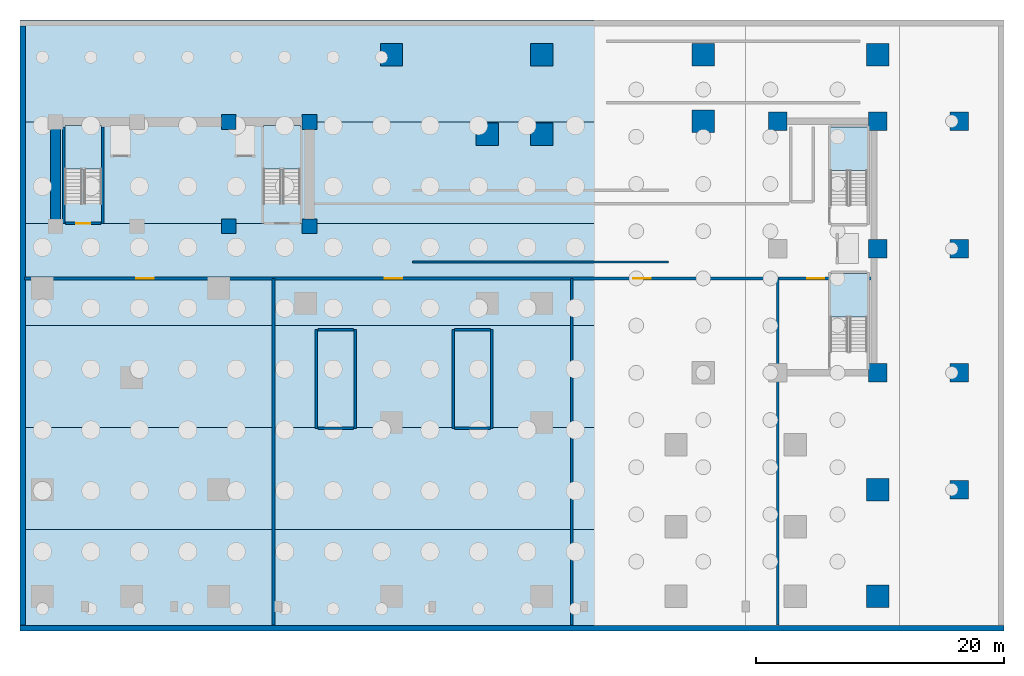
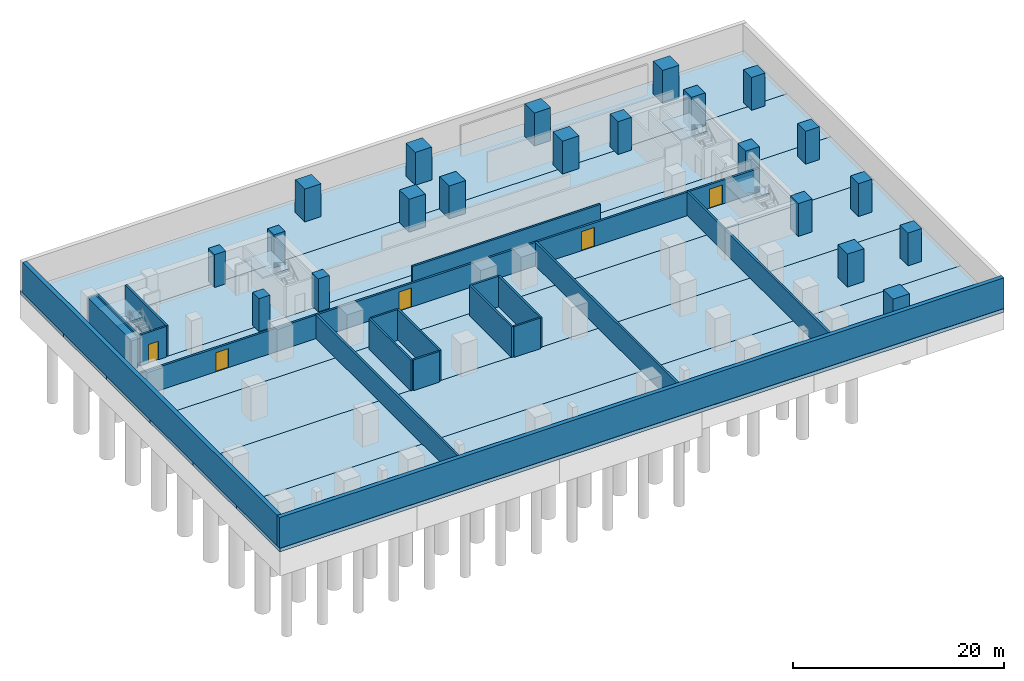
# One storey, part 2 of 7: 21 columns, 19 walls, 10 slabs, 5 doors, 5 openings, 4 elements without a shape of their own.
"""IFC4 building model written with IfcOpenShell, lengths in metres."""

from ifc_helpers import new_model, si_unit, direction, frame, frame_2d, origin, origin_2d, place, context, subcontext, project, spatial, polyline, rectangle, outline, extrude, material, layer, layer_set, material_profile, profile_set, type_object, element, fill, aggregate, save


model = new_model("IFC4")

# Units and contexts
model_context = context("Model", 3, precision=1e-05, world=origin(), true_north=direction((0.0, 1.0)))
body_context = subcontext(model_context, "Body", "Model", "MODEL_VIEW")
ifc_project = project(units=[si_unit("LENGTHUNIT", "METRE"), si_unit("AREAUNIT", "SQUARE_METRE"), si_unit("VOLUMEUNIT", "CUBIC_METRE"), si_unit("PLANEANGLEUNIT", "RADIAN"), si_unit("MASSUNIT", "GRAM", prefix="KILO")], contexts=[model_context])

# Site, building, storey
site_placement = place(None, origin())
site = spatial("IfcSite", under=ifc_project, at=site_placement, CompositionType="ELEMENT")
building_placement = place(site_placement, origin())
building = spatial("IfcBuilding", under=site, at=building_placement, Name="Kuzgunbayir Cultural Tower", CompositionType="ELEMENT")
storey_placement = place(building_placement, frame((0.0, 0.0, -11.39990234375)))
storey = spatial("IfcBuildingStorey", under=building, at=storey_placement, Name="B03", CompositionType="ELEMENT", Elevation=-11.39990234375)

# Columns
ifc_material_1 = material(Name="Concrete C60/75", Category="concrete")
ifc_material_profile_1 = material_profile(ifc_material_1, rectangle(XDim=1.199951171875, YDim=1.199951171875, at=origin_2d()), Name="RC 1200x1200")
ifc_profile_set_1 = profile_set([ifc_material_profile_1], Name="Concrete C60/75")
column_type_1 = type_object("IfcColumnType", Name="COL-CORE-1200", PredefinedType="COLUMN", material=ifc_profile_set_1)
for number, where, z_axis, x_axis, name in (
    (1, (20.39990234375, 33.800048828125, 0.0), (0.0, 0.0, 1.0), (1.0, 0.0, 0.0), "B03 T1 Core Boundary Column CC1-3"),
    (2, (26.89990234375, 33.800048828125, 0.0), (0.0, 0.0, 1.0), (1.0, 0.0, 0.0), "B03 T1 Core Boundary Column CC1-4"),
    (3, (20.39990234375, 42.199951171875, 0.0), (0.0, 0.0, 1.0), (1.0, 0.0, 0.0), "B03 T1 Core Boundary Column CC1-7"),
    (4, (26.89990234375, 42.199951171875, 0.0), (0.0, 0.0, 1.0), (1.0, 0.0, 0.0), "B03 T1 Core Boundary Column CC1-8"),
):
    element("IfcColumn", number, at=place(storey_placement, frame(where, z_axis=z_axis, x_axis=x_axis)), inside=storey, type_object=column_type_1, Name=name, PredefinedType="COLUMN", context=body_context, shape_type="SweptSolid", body=[
        extrude(rectangle(XDim=1.199951171875, YDim=1.199951171875, at=origin_2d()), origin(), (0.0, 0.0, 1.0), 3.7998046875),
    ])
ifc_material_profile_2 = material_profile(ifc_material_1, rectangle(XDim=1.5, YDim=1.5, at=origin_2d()), Name="RC 1500x1500")
ifc_profile_set_2 = profile_set([ifc_material_profile_2], Name="Concrete C60/75")
column_type_2 = type_object("IfcColumnType", Name="COL-MEGA-1500", PredefinedType="COLUMN", material=ifc_profile_set_2)
for number, where, z_axis, x_axis, name in (
    (5, (72.64990234375, 22.0, 0.0), (0.0, 0.0, 1.0), (1.0, 0.0, 0.0), "B03 T2 Core Boundary Column CC2-2"),
    (6, (72.64990234375, 32.0, 0.0), (0.0, 0.0, 1.0), (1.0, 0.0, 0.0), "B03 T2 Core Boundary Column CC2-4"),
    (7, (64.60009765625, 42.25, 0.0), (0.0, 0.0, 1.0), (1.0, 0.0, 0.0), "B03 T2 Core Boundary Column CC2-5"),
    (8, (72.64990234375, 42.25, 0.0), (0.0, 0.0, 1.0), (1.0, 0.0, 0.0), "B03 T2 Core Boundary Column CC2-6"),
    (9, (79.199951171875, 12.60009765625, 0.0), (0.0, 0.0, 1.0), (1.0, 0.0, 0.0), "B03 East Substructure Column 1"),
    (10, (79.199951171875, 22.0, 0.0), (0.0, 0.0, 1.0), (1.0, 0.0, 0.0), "B03 East Substructure Column 2"),
    (11, (79.199951171875, 32.0, 0.0), (0.0, 0.0, 1.0), (1.0, 0.0, 0.0), "B03 East Substructure Column 3"),
    (12, (79.199951171875, 42.25, 0.0), (0.0, 0.0, 1.0), (1.0, 0.0, 0.0), "B03 East Substructure Column 4"),
):
    element("IfcColumn", number, at=place(storey_placement, frame(where, z_axis=z_axis, x_axis=x_axis)), inside=storey, type_object=column_type_2, Name=name, PredefinedType="COLUMN", context=body_context, shape_type="SweptSolid", body=[
        extrude(rectangle(XDim=1.5, YDim=1.5, at=origin_2d()), origin(), (0.0, 0.0, 1.0), 3.7998046875),
    ])
ifc_material_profile_3 = material_profile(ifc_material_1, rectangle(XDim=1.800048828125, YDim=1.800048828125, at=origin_2d()), Name="RC 1800x1800")
ifc_profile_set_3 = profile_set([ifc_material_profile_3], Name="Concrete C60/75")
column_type_3 = type_object("IfcColumnType", Name="COL-MEGA-1800", PredefinedType="COLUMN", material=ifc_profile_set_3)
for number, where, z_axis, x_axis, name in (
    (13, (41.199951171875, 41.199951171875, 0.0), (0.0, 0.0, 1.0), (1.0, 0.0, 0.0), "B03 Podium Mega-Column PC-T1B-4N"),
    (14, (45.60009765625, 41.199951171875, 0.0), (0.0, 0.0, 1.0), (1.0, 0.0, 0.0), "B03 Podium Mega-Column PC-T1B-5N"),
    (15, (58.60009765625, 42.25, 0.0), (0.0, 0.0, 1.0), (1.0, 0.0, 0.0), "B03 Podium Mega-Column PC-T2A-NW"),
    (16, (72.64990234375, 4.0, 0.0), (0.0, 0.0, 1.0), (1.0, 0.0, 0.0), "B03 Podium Mega-Column PC-P08"),
    (17, (72.64990234375, 12.60009765625, 0.0), (0.0, 0.0, 1.0), (1.0, 0.0, 0.0), "B03 Podium Mega-Column PC-P12"),
    (18, (33.5, 47.60009765625, 0.0), (0.0, 0.0, 1.0), (1.0, 0.0, 0.0), "B03 Podium Mega-Column PC-P13"),
    (19, (45.60009765625, 47.60009765625, 0.0), (0.0, 0.0, 1.0), (1.0, 0.0, 0.0), "B03 Podium Mega-Column PC-P14"),
    (20, (58.60009765625, 47.60009765625, 0.0), (0.0, 0.0, 1.0), (1.0, 0.0, 0.0), "B03 Podium Mega-Column PC-P15"),
    (21, (72.64990234375, 47.60009765625, 0.0), (0.0, 0.0, 1.0), (1.0, 0.0, 0.0), "B03 Podium Mega-Column PC-P16"),
):
    element("IfcColumn", number, at=place(storey_placement, frame(where, z_axis=z_axis, x_axis=x_axis)), inside=storey, type_object=column_type_3, Name=name, PredefinedType="COLUMN", context=body_context, shape_type="SweptSolid", body=[
        extrude(rectangle(XDim=1.800048828125, YDim=1.800048828125, at=origin_2d()), origin(), (0.0, 0.0, 1.0), 3.7998046875),
    ])

# Slabs
ifc_material_2 = material(Name="Concrete C40/50", Category="concrete")
ifc_layer_1 = layer(ifc_material_2, 0.39990234375)
ifc_layer_set_1 = layer_set([ifc_layer_1], Name="Concrete C40/50")
slab_type_1 = type_object("IfcSlabType", Name="SLB-BASE-400", PredefinedType="BASESLAB", material=ifc_layer_set_1)
slab_1_placement = place(storey_placement, frame((0.0, 0.0, -0.400146484375)))
element("IfcSlab", 22, at=slab_1_placement, inside=storey, type_object=slab_type_1, Name="B03 Structural Base Slab Zone 1", PredefinedType="BASESLAB", context=body_context, shape_type="SweptSolid", body=[
    extrude(outline(polyline([(3.60009765625, 1.199951171875), (82.800048828125, 1.199951171875), (82.800048828125, 9.39990234375), (3.60009765625, 9.39990234375), (3.60009765625, 1.199951171875)])), origin(), (0.0, 0.0, 1.0), 0.400146484375),
])
slab_2_placement = place(storey_placement, frame((0.0, 0.0, -0.400146484375)))
element("IfcSlab", 23, at=slab_2_placement, inside=storey, type_object=slab_type_1, Name="B03 Structural Base Slab Zone 2", PredefinedType="BASESLAB", context=body_context, shape_type="SweptSolid", body=[
    extrude(outline(polyline([(3.60009765625, 9.39990234375), (82.800048828125, 9.39990234375), (82.800048828125, 17.60009765625), (3.60009765625, 17.60009765625), (3.60009765625, 9.39990234375)])), origin(), (0.0, 0.0, 1.0), 0.400146484375),
])
slab_3_placement = place(storey_placement, frame((0.0, 0.0, -0.400146484375)))
element("IfcSlab", 24, at=slab_3_placement, inside=storey, type_object=slab_type_1, Name="B03 Structural Base Slab Zone 3", PredefinedType="BASESLAB", context=body_context, shape_type="SweptSolid", body=[
    extrude(outline(polyline([(3.60009765625, 17.60009765625), (82.800048828125, 17.60009765625), (82.800048828125, 25.800048828125), (3.60009765625, 25.800048828125), (3.60009765625, 17.60009765625)])), origin(), (0.0, 0.0, 1.0), 0.400146484375),
])
slab_4_placement = place(storey_placement, frame((0.0, 0.0, -0.400146484375)))
element("IfcSlab", 25, at=slab_4_placement, inside=storey, type_object=slab_type_1, Name="B03 Structural Base Slab Zone 4", PredefinedType="BASESLAB", context=body_context, shape_type="SweptSolid", body=[
    extrude(outline(polyline([(3.60009765625, 25.800048828125), (82.800048828125, 25.800048828125), (82.800048828125, 34.0), (3.60009765625, 34.0), (3.60009765625, 25.800048828125)])), origin(), (0.0, 0.0, 1.0), 0.400146484375),
])
slab_5_placement = place(storey_placement, frame((0.0, 0.0, -0.400146484375)))
element("IfcSlab", 26, at=slab_5_placement, inside=storey, type_object=slab_type_1, Name="B03 Structural Base Slab Zone 5", PredefinedType="BASESLAB", context=body_context, shape_type="SweptSolid", body=[
    extrude(outline(polyline([(3.60009765625, 34.0), (82.800048828125, 34.0), (82.800048828125, 42.199951171875), (3.60009765625, 42.199951171875), (3.60009765625, 34.0)])), origin(), (0.0, 0.0, 1.0), 0.400146484375),
])
slab_6_placement = place(storey_placement, frame((0.0, 0.0, -0.400146484375)))
element("IfcSlab", 27, at=slab_6_placement, inside=storey, type_object=slab_type_1, Name="B03 Structural Base Slab Zone 6", PredefinedType="BASESLAB", context=body_context, shape_type="SweptSolid", body=[
    extrude(outline(polyline([(3.60009765625, 42.199951171875), (82.800048828125, 42.199951171875), (82.800048828125, 50.39990234375), (3.60009765625, 50.39990234375), (3.60009765625, 42.199951171875)])), origin(), (0.0, 0.0, 1.0), 0.400146484375),
])

# Stair, slab
stair_type = type_object("IfcStairType", Name="STR-EXIT-CORE", PredefinedType="HALF_TURN_STAIR", material=ifc_material_2)
stair_1_placement = place(storey_placement, origin())
stair_1 = element("IfcStair", 28, at=stair_1_placement, inside=storey, type_object=stair_type, Name="B03 ST-1", PredefinedType="HALF_TURN_STAIR")
ifc_layer_2 = layer(ifc_material_2, 0.179931640625)
ifc_layer_set_2 = layer_set([ifc_layer_2], Name="Concrete C40/50")
slab_type_2 = type_object("IfcSlabType", Name="SLB-LANDING-180", PredefinedType="LANDING", material=ifc_layer_set_2)
slab_7_placement = place(storey_placement, frame((0.0, 0.0, 1.699951171875)))
slab_7 = element("IfcSlab", 29, at=slab_7_placement, type_object=slab_type_2, Name="ST-1 landing 1", PredefinedType="LANDING", context=body_context, shape_type="SweptSolid", body=[
    extrude(outline(polyline([(10.159912109375, 38.39990234375), (10.159912109375, 41.89990234375), (7.199951171875, 41.89990234375), (7.199951171875, 38.39990234375), (10.159912109375, 38.39990234375)])), origin(), (0.0, 0.0, 1.0), 0.199951171875),
])
aggregate(stair_1, [slab_7])

stair_2_placement = place(storey_placement, origin())
stair_2 = element("IfcStair", 30, at=stair_2_placement, inside=storey, type_object=stair_type, Name="B03 ST-2", PredefinedType="HALF_TURN_STAIR")
slab_8_placement = place(storey_placement, frame((0.0, 0.0, 1.699951171875)))
slab_8 = element("IfcSlab", 31, at=slab_8_placement, type_object=slab_type_2, Name="ST-2 landing 1", PredefinedType="LANDING", context=body_context, shape_type="SweptSolid", body=[
    extrude(outline(polyline([(26.159912109375, 38.39990234375), (26.159912109375, 41.89990234375), (23.199951171875, 41.89990234375), (23.199951171875, 38.39990234375), (26.159912109375, 38.39990234375)])), origin(), (0.0, 0.0, 1.0), 0.199951171875),
])
aggregate(stair_2, [slab_8])

stair_3_placement = place(storey_placement, origin())
stair_3 = element("IfcStair", 32, at=stair_3_placement, inside=storey, type_object=stair_type, Name="B03 ST-3", PredefinedType="HALF_TURN_STAIR")
slab_9_placement = place(storey_placement, frame((0.0, 0.0, 1.699951171875)))
slab_9 = element("IfcSlab", 33, at=slab_9_placement, type_object=slab_type_2, Name="ST-3 landing 1", PredefinedType="LANDING", context=body_context, shape_type="SweptSolid", body=[
    extrude(outline(polyline([(71.800048828125, 26.5), (71.800048828125, 30.0), (68.840087890625, 30.0), (68.840087890625, 26.5), (71.800048828125, 26.5)])), origin(), (0.0, 0.0, 1.0), 0.199951171875),
])
aggregate(stair_3, [slab_9])

stair_4_placement = place(storey_placement, origin())
stair_4 = element("IfcStair", 34, at=stair_4_placement, inside=storey, type_object=stair_type, Name="B03 ST-4", PredefinedType="HALF_TURN_STAIR")
slab_10_placement = place(storey_placement, frame((0.0, 0.0, 1.699951171875)))
slab_10 = element("IfcSlab", 35, at=slab_10_placement, type_object=slab_type_2, Name="ST-4 landing 1", PredefinedType="LANDING", context=body_context, shape_type="SweptSolid", body=[
    extrude(outline(polyline([(71.800048828125, 38.300048828125), (71.800048828125, 41.800048828125), (68.840087890625, 41.800048828125), (68.840087890625, 38.300048828125), (71.800048828125, 38.300048828125)])), origin(), (0.0, 0.0, 1.0), 0.199951171875),
])
aggregate(stair_4, [slab_10])

# Walls
ifc_layer_3 = layer(ifc_material_1, 0.800048828125)
ifc_layer_set_3 = layer_set([ifc_layer_3], Name="Concrete C60/75")
wall_type_1 = type_object("IfcWallType", Name="WAL-CORE-800", PredefinedType="SHEAR", material=ifc_layer_set_3)
wall_1_placement = place(storey_placement, frame((6.449951171875, 33.800048828125, 0.0), z_axis=(0.0, 0.0, 1.0), x_axis=(0.0, 1.0, 0.0)))
element("IfcWall", 36, at=wall_1_placement, inside=storey, type_object=wall_type_1, Name="B03 T1 Core West Shear Wall", PredefinedType="SHEAR", context=body_context, shape_type="SweptSolid", body=[
    extrude(rectangle(XDim=7.949951171875, YDim=0.800048828125, at=frame_2d((3.97509765625, 0.0))), origin(), (0.0, 0.0, 1.0), 3.5498046875),
])
ifc_layer_4 = layer(ifc_material_2, 0.449951171875)
ifc_layer_set_4 = layer_set([ifc_layer_4], Name="Concrete C40/50")
wall_type_2 = type_object("IfcWallType", Name="WAL-EXT-BSM-450", PredefinedType="SOLIDWALL", material=ifc_layer_set_4)
wall_2_placement = place(storey_placement, frame((3.60009765625, 1.449951171875, 0.0), z_axis=(0.0, 0.0, 1.0), x_axis=(1.0, 0.0, 0.0)))
element("IfcWall", 37, at=wall_2_placement, inside=storey, type_object=wall_type_2, Name="B03 South Retaining Wall", PredefinedType="SOLIDWALL", context=body_context, shape_type="SweptSolid", body=[
    extrude(rectangle(XDim=79.199951171875, YDim=0.449951171875, at=frame_2d((39.60009765625, 0.0))), origin(), (0.0, 0.0, 1.0), 3.5498046875),
])
wall_3_placement = place(storey_placement, frame((3.820068359375, 49.89990234375, 0.0), z_axis=(0.0, 0.0, 1.0), x_axis=(0.0, -1.0, 0.0)))
element("IfcWall", 38, at=wall_3_placement, inside=storey, type_object=wall_type_2, Name="B03 West Retaining Wall", PredefinedType="SOLIDWALL", context=body_context, shape_type="SweptSolid", body=[
    extrude(rectangle(XDim=48.199951171875, YDim=0.449951171875, at=frame_2d((24.10009765625, 0.0))), origin(), (0.0, 0.0, 1.0), 3.5498046875),
])

# Wall, openings, doors
ifc_layer_5 = layer(ifc_material_2, 0.219970703125)
ifc_layer_set_5 = layer_set([ifc_layer_5], Name="Concrete C40/50")
wall_type_3 = type_object("IfcWallType", Name="WAL-PART-PLANT-200", PredefinedType="PARTITIONING", material=ifc_layer_set_5)
wall_4_placement = place(storey_placement, frame((3.949951171875, 29.60009765625, 0.0), z_axis=(0.0, 0.0, 1.0), x_axis=(1.0, 0.0, 0.0)))
wall_4 = element("IfcWall", 39, at=wall_4_placement, inside=storey, type_object=wall_type_3, Name="B03 Substructure Plant Corridor Wall South", PredefinedType="PARTITIONING", context=body_context, shape_type="SweptSolid", body=[
    extrude(rectangle(XDim=68.449951171875, YDim=0.219970703125, at=frame_2d((34.22509765625, 0.0))), origin(), (0.0, 0.0, 1.0), 2.719970703125),
])
opening_1_placement = place(wall_4_placement, frame((9.0, 0.0, 0.0)))
opening_1 = element("IfcOpeningElement", 40, at=opening_1_placement, cuts=wall_4, Name="Opening DR-PLANT-90", PredefinedType="OPENING", context=body_context, shape_type="SweptSolid", body=[
    extrude(rectangle(XDim=1.39990234375, YDim=2.199951171875, at=frame_2d((0.699951171875, 1.10009765625))), frame((0.0, 0.1201171875, 0.0), z_axis=(0.0, -1.0, 0.0), x_axis=(1.0, 0.0, 0.0)), (0.0, 0.0, 1.0), 0.239990234375),
])
opening_2_placement = place(wall_4_placement, frame((29.0, 0.0, 0.0)))
opening_2 = element("IfcOpeningElement", 41, at=opening_2_placement, cuts=wall_4, Name="Opening DR-PLANT-90", PredefinedType="OPENING", context=body_context, shape_type="SweptSolid", body=[
    extrude(rectangle(XDim=1.39990234375, YDim=2.199951171875, at=frame_2d((0.699951171875, 1.10009765625))), frame((0.0, 0.1201171875, 0.0), z_axis=(0.0, -1.0, 0.0), x_axis=(1.0, 0.0, 0.0)), (0.0, 0.0, 1.0), 0.239990234375),
])
opening_3_placement = place(wall_4_placement, frame((49.0, 0.0, 0.0)))
opening_3 = element("IfcOpeningElement", 42, at=opening_3_placement, cuts=wall_4, Name="Opening DR-PLANT-90", PredefinedType="OPENING", context=body_context, shape_type="SweptSolid", body=[
    extrude(rectangle(XDim=1.39990234375, YDim=2.199951171875, at=frame_2d((0.699951171875, 1.10009765625))), frame((0.0, 0.1201171875, 0.0), z_axis=(0.0, -1.0, 0.0), x_axis=(1.0, 0.0, 0.0)), (0.0, 0.0, 1.0), 0.239990234375),
])
opening_4_placement = place(wall_4_placement, frame((63.0, 0.0, 0.0)))
opening_4 = element("IfcOpeningElement", 43, at=opening_4_placement, cuts=wall_4, Name="Opening DR-PLANT-90", PredefinedType="OPENING", context=body_context, shape_type="SweptSolid", body=[
    extrude(rectangle(XDim=1.39990234375, YDim=2.199951171875, at=frame_2d((0.699951171875, 1.10009765625))), frame((0.0, 0.1201171875, 0.0), z_axis=(0.0, -1.0, 0.0), x_axis=(1.0, 0.0, 0.0)), (0.0, 0.0, 1.0), 0.239990234375),
])
ifc_material_3 = material(Name="Acoustic Steel Double Leaf", Category="steel")
door_type_1 = type_object("IfcDoorType", Name="DR-PLANT-90", OperationType="DOUBLE_DOOR_SINGLE_SWING", PredefinedType="DOOR", material=ifc_material_3)
door_1_placement = place(opening_1_placement, origin())
door_1 = element("IfcDoor", 44, at=door_1_placement, inside=storey, type_object=door_type_1, Name="B03 Chiller Plant Double Door", OperationType="DOUBLE_DOOR_SINGLE_SWING", OverallHeight=2.199951171875, OverallWidth=1.39990234375, PredefinedType="DOOR", context=body_context, shape_type="SweptSolid", body=[
    extrude(rectangle(XDim=1.39990234375, YDim=2.199951171875, at=frame_2d((0.699951171875, 1.10009765625))), frame((0.0, 0.02490234375, 0.0), z_axis=(0.0, -1.0, 0.0), x_axis=(1.0, 0.0, 0.0)), (0.0, 0.0, 1.0), 0.050048828125),
])
fill(opening_1, door_1)
door_2_placement = place(opening_2_placement, origin())
door_2 = element("IfcDoor", 45, at=door_2_placement, inside=storey, type_object=door_type_1, Name="B03 Sprinkler Tank Room Door", OperationType="DOUBLE_DOOR_SINGLE_SWING", OverallHeight=2.199951171875, OverallWidth=1.39990234375, PredefinedType="DOOR", context=body_context, shape_type="SweptSolid", body=[
    extrude(rectangle(XDim=1.39990234375, YDim=2.199951171875, at=frame_2d((0.699951171875, 1.10009765625))), frame((0.0, 0.02490234375, 0.0), z_axis=(0.0, -1.0, 0.0), x_axis=(1.0, 0.0, 0.0)), (0.0, 0.0, 1.0), 0.050048828125),
])
fill(opening_2, door_2)
door_3_placement = place(opening_3_placement, origin())
door_3 = element("IfcDoor", 46, at=door_3_placement, inside=storey, type_object=door_type_1, Name="B03 Pump Room Access Door", OperationType="DOUBLE_DOOR_SINGLE_SWING", OverallHeight=2.199951171875, OverallWidth=1.39990234375, PredefinedType="DOOR", context=body_context, shape_type="SweptSolid", body=[
    extrude(rectangle(XDim=1.39990234375, YDim=2.199951171875, at=frame_2d((0.699951171875, 1.10009765625))), frame((0.0, 0.02490234375, 0.0), z_axis=(0.0, -1.0, 0.0), x_axis=(1.0, 0.0, 0.0)), (0.0, 0.0, 1.0), 0.050048828125),
])
fill(opening_3, door_3)
door_4_placement = place(opening_4_placement, origin())
door_4 = element("IfcDoor", 47, at=door_4_placement, inside=storey, type_object=door_type_1, Name="B03 Transformer Room Access Door", OperationType="DOUBLE_DOOR_SINGLE_SWING", OverallHeight=2.199951171875, OverallWidth=1.39990234375, PredefinedType="DOOR", context=body_context, shape_type="SweptSolid", body=[
    extrude(rectangle(XDim=1.39990234375, YDim=2.199951171875, at=frame_2d((0.699951171875, 1.10009765625))), frame((0.0, 0.02490234375, 0.0), z_axis=(0.0, -1.0, 0.0), x_axis=(1.0, 0.0, 0.0)), (0.0, 0.0, 1.0), 0.050048828125),
])
fill(opening_4, door_4)

# Walls
for number, where, z_axis, x_axis, name in (
    (48, (24.0, 1.699951171875, 0.0), (0.0, 0.0, 1.0), (0.0, 1.0, 0.0), "B03 Chiller Hall Partition"),
    (49, (48.0, 1.699951171875, 0.0), (0.0, 0.0, 1.0), (0.0, 1.0, 0.0), "B03 Sprinkler Tank Partition"),
    (50, (64.60009765625, 1.699951171875, 0.0), (0.0, 0.0, 1.0), (0.0, 1.0, 0.0), "B03 Substation Partition"),
):
    element("IfcWall", number, at=place(storey_placement, frame(where, z_axis=z_axis, x_axis=x_axis)), inside=storey, type_object=wall_type_3, Name=name, PredefinedType="PARTITIONING", context=body_context, shape_type="SweptSolid", body=[
        extrude(rectangle(XDim=27.900146484375, YDim=0.219970703125, at=frame_2d((13.9501953125, 0.0))), origin(), (0.0, 0.0, 1.0), 2.719970703125),
    ])
ifc_layer_6 = layer(ifc_material_2, 0.199951171875)
ifc_layer_set_6 = layer_set([ifc_layer_6], Name="Concrete C40/50")
wall_type_4 = type_object("IfcWallType", Name="WAL-STAIR-RC-200", PredefinedType="SHEAR", material=ifc_layer_set_6)
for number, where, z_axis, x_axis, name in (
    (51, (7.1201171875, 34.02001953125, 0.0), (0.0, 0.0, 1.0), (0.0, 1.0, 0.0), "B03 Stair ST-1 West Structural Wall"),
    (52, (10.239990234375, 34.02001953125, 0.0), (0.0, 0.0, 1.0), (0.0, 1.0, 0.0), "B03 Stair ST-1 East Structural Wall"),
):
    element("IfcWall", number, at=place(storey_placement, frame(where, z_axis=z_axis, x_axis=x_axis)), inside=storey, type_object=wall_type_4, Name=name, PredefinedType="SHEAR", context=body_context, shape_type="SweptSolid", body=[
        extrude(rectangle(XDim=7.780029296875, YDim=0.199951171875, at=frame_2d((3.89013671875, 0.0))), origin(), (0.0, 0.0, 1.0), 3.5498046875),
    ])

# Wall, opening, door
wall_5_placement = place(storey_placement, frame((7.239990234375, 34.02001953125, 0.0), z_axis=(0.0, 0.0, 1.0), x_axis=(1.0, 0.0, 0.0)))
wall_5 = element("IfcWall", 53, at=wall_5_placement, inside=storey, type_object=wall_type_4, Name="B03 Stair ST-1 South Structural Wall", PredefinedType="SHEAR", context=body_context, shape_type="SweptSolid", body=[
    extrude(rectangle(XDim=2.880126953125, YDim=0.199951171875, at=frame_2d((1.43994140625, 0.0))), origin(), (0.0, 0.0, 1.0), 3.5498046875),
])
opening_5_placement = place(wall_5_placement, frame((0.89990234375, 0.0, 0.0)))
opening_5 = element("IfcOpeningElement", 54, at=opening_5_placement, cuts=wall_5, Name="Opening DR-STAIR-90", PredefinedType="OPENING", context=body_context, shape_type="SweptSolid", body=[
    extrude(rectangle(XDim=1.10009765625, YDim=2.14990234375, at=frame_2d((0.550048828125, 1.074951171875))), frame((0.0, 0.10986328125, 0.0), z_axis=(0.0, -1.0, 0.0), x_axis=(1.0, 0.0, 0.0)), (0.0, 0.0, 1.0), 0.219970703125),
])
ifc_material_4 = material(Name="Steel S355J2", Category="steel")
door_type_2 = type_object("IfcDoorType", Name="DR-STAIR-90", OperationType="NOTDEFINED", PredefinedType="DOOR", material=ifc_material_4)
door_5_placement = place(opening_5_placement, origin())
door_5 = element("IfcDoor", 55, at=door_5_placement, inside=storey, type_object=door_type_2, Name="B03 Stair ST-1 Fire Door", OperationType="SINGLE_SWING_LEFT", OverallHeight=2.14990234375, OverallWidth=1.10009765625, PredefinedType="DOOR", context=body_context, shape_type="SweptSolid", body=[
    extrude(rectangle(XDim=1.10009765625, YDim=2.14990234375, at=frame_2d((0.550048828125, 1.074951171875))), frame((0.0, 0.02490234375, 0.0), z_axis=(0.0, -1.0, 0.0), x_axis=(1.0, 0.0, 0.0)), (0.0, 0.0, 1.0), 0.050048828125),
])
fill(opening_5, door_5)

# Walls
for number, where, z_axis, x_axis, name in (
    (56, (27.4599609375, 17.52001953125, 0.0), (0.0, 0.0, 1.0), (0.0, 1.0, 0.0), "B03 Riser Shaft ST-5 West Structural Wall"),
    (57, (30.580078125, 17.52001953125, 0.0), (0.0, 0.0, 1.0), (0.0, 1.0, 0.0), "B03 Riser Shaft ST-5 East Structural Wall"),
):
    element("IfcWall", number, at=place(storey_placement, frame(where, z_axis=z_axis, x_axis=x_axis)), inside=storey, type_object=wall_type_4, Name=name, PredefinedType="SHEAR", context=body_context, shape_type="SweptSolid", body=[
        extrude(rectangle(XDim=7.9599609375, YDim=0.199951171875, at=frame_2d((3.97998046875, 0.0))), origin(), (0.0, 0.0, 1.0), 3.5498046875),
    ])
for number, where, z_axis, x_axis, name in (
    (58, (27.580078125, 25.47998046875, 0.0), (0.0, 0.0, 1.0), (1.0, 0.0, 0.0), "B03 Riser Shaft ST-5 North Structural Wall"),
    (59, (27.580078125, 17.52001953125, 0.0), (0.0, 0.0, 1.0), (1.0, 0.0, 0.0), "B03 Riser Shaft ST-5 South Structural Wall"),
):
    element("IfcWall", number, at=place(storey_placement, frame(where, z_axis=z_axis, x_axis=x_axis)), inside=storey, type_object=wall_type_4, Name=name, PredefinedType="SHEAR", context=body_context, shape_type="SweptSolid", body=[
        extrude(rectangle(XDim=2.8798828125, YDim=0.199951171875, at=frame_2d((1.43994140625, 0.0))), origin(), (0.0, 0.0, 1.0), 3.5498046875),
    ])
for number, where, z_axis, x_axis, name in (
    (60, (38.4599609375, 17.52001953125, 0.0), (0.0, 0.0, 1.0), (0.0, 1.0, 0.0), "B03 Riser Shaft ST-6 West Structural Wall"),
    (61, (41.580078125, 17.52001953125, 0.0), (0.0, 0.0, 1.0), (0.0, 1.0, 0.0), "B03 Riser Shaft ST-6 East Structural Wall"),
):
    element("IfcWall", number, at=place(storey_placement, frame(where, z_axis=z_axis, x_axis=x_axis)), inside=storey, type_object=wall_type_4, Name=name, PredefinedType="SHEAR", context=body_context, shape_type="SweptSolid", body=[
        extrude(rectangle(XDim=7.9599609375, YDim=0.199951171875, at=frame_2d((3.97998046875, 0.0))), origin(), (0.0, 0.0, 1.0), 3.5498046875),
    ])
for number, where, z_axis, x_axis, name in (
    (62, (38.580078125, 25.47998046875, 0.0), (0.0, 0.0, 1.0), (1.0, 0.0, 0.0), "B03 Riser Shaft ST-6 North Structural Wall"),
    (63, (38.580078125, 17.52001953125, 0.0), (0.0, 0.0, 1.0), (1.0, 0.0, 0.0), "B03 Riser Shaft ST-6 South Structural Wall"),
):
    element("IfcWall", number, at=place(storey_placement, frame(where, z_axis=z_axis, x_axis=x_axis)), inside=storey, type_object=wall_type_4, Name=name, PredefinedType="SHEAR", context=body_context, shape_type="SweptSolid", body=[
        extrude(rectangle(XDim=2.8798828125, YDim=0.199951171875, at=frame_2d((1.43994140625, 0.0))), origin(), (0.0, 0.0, 1.0), 3.5498046875),
    ])
wall_6_placement = place(storey_placement, frame((35.199951171875, 30.919921875, 0.0), z_axis=(0.0, 0.0, 1.0), x_axis=(1.0, 0.0, 0.0)))
element("IfcWall", 64, at=wall_6_placement, inside=storey, type_object=wall_type_4, Name="B03 Vehicle Ramp VR-2 Support Wall S", PredefinedType="SHEAR", context=body_context, shape_type="SweptSolid", body=[
    extrude(rectangle(XDim=20.60009765625, YDim=0.199951171875, at=frame_2d((10.300048828125, 0.0))), origin(), (0.0, 0.0, 1.0), 3.5498046875),
])

save(model, "model.ifc")
